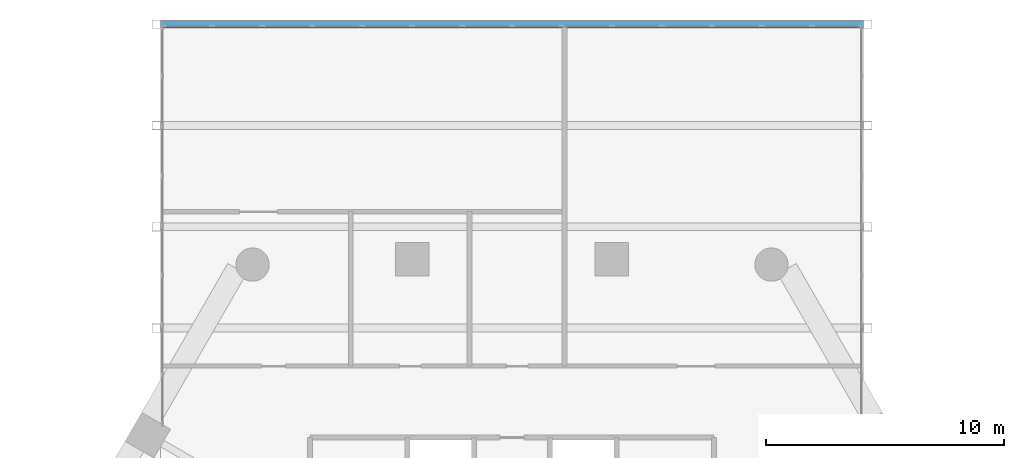
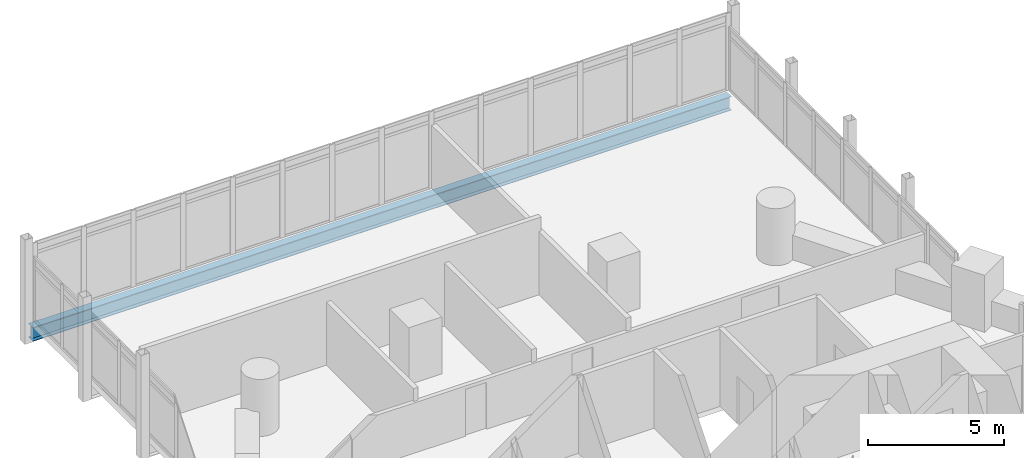
# One storey, part 16 of 28: 1 beam.
"""IFC4 building model written with IfcOpenShell, lengths in metres."""

from ifc_helpers import new_model, si_unit, direction, frame, origin, origin_2d, place, context, subcontext, project, spatial, i_section, extrude, material, material_profile, profile_set, type_object, element, save


model = new_model("IFC4")

# Units and contexts
model_context = context("Model", 3, precision=1e-05, world=origin(), true_north=direction((0.0, 1.0)))
body_context = subcontext(model_context, "Body", "Model", "MODEL_VIEW")
ifc_project = project(units=[si_unit("LENGTHUNIT", "METRE"), si_unit("AREAUNIT", "SQUARE_METRE"), si_unit("VOLUMEUNIT", "CUBIC_METRE"), si_unit("PLANEANGLEUNIT", "RADIAN"), si_unit("MASSUNIT", "GRAM", prefix="KILO")], contexts=[model_context])

# Site, building, storey
site_placement = place(None, origin())
site = spatial("IfcSite", under=ifc_project, at=site_placement, CompositionType="ELEMENT")
building_placement = place(site_placement, origin())
building = spatial("IfcBuilding", under=site, at=building_placement, Name="Ostrander Bayou Hotel Tower", CompositionType="ELEMENT")
storey_placement = place(building_placement, frame((0.0, 0.0, 76.75)))
storey = spatial("IfcBuildingStorey", under=building, at=storey_placement, Name="L19", CompositionType="ELEMENT", Elevation=76.75)

# Beam
ifc_material = material(Name="Steel ASTM A992", Category="steel")
ifc_material_profile = material_profile(ifc_material, i_section(OverallWidth=0.32763671875, OverallDepth=0.621826171875, WebThickness=0.015380859375, FlangeThickness=0.0244140625, at=origin_2d()))
ifc_profile_set = profile_set([ifc_material_profile], Name="Steel ASTM A992")
beam_type = type_object("IfcBeamType", Name="TF1 bar floor beam W24x131", PredefinedType="BEAM", material=ifc_profile_set)
beam_placement = place(storey_placement, frame((-14.787109375, 30.986083984375, -0.61083984375), z_axis=(1.0, 0.0, 0.0), x_axis=(0.0, 1.0, 0.0)))
element("IfcBeam", 1, at=beam_placement, inside=storey, type_object=beam_type, Name="TF1 SB1W L4-1", PredefinedType="BEAM", context=body_context, shape_type="SweptSolid", body=[
    extrude(i_section(OverallWidth=0.32763671875, OverallDepth=0.621826171875, WebThickness=0.015380859375, FlangeThickness=0.0244140625, at=origin_2d()), origin(), (0.0, 0.0, 1.0), 29.57421875),
])

save(model, "model.ifc")
